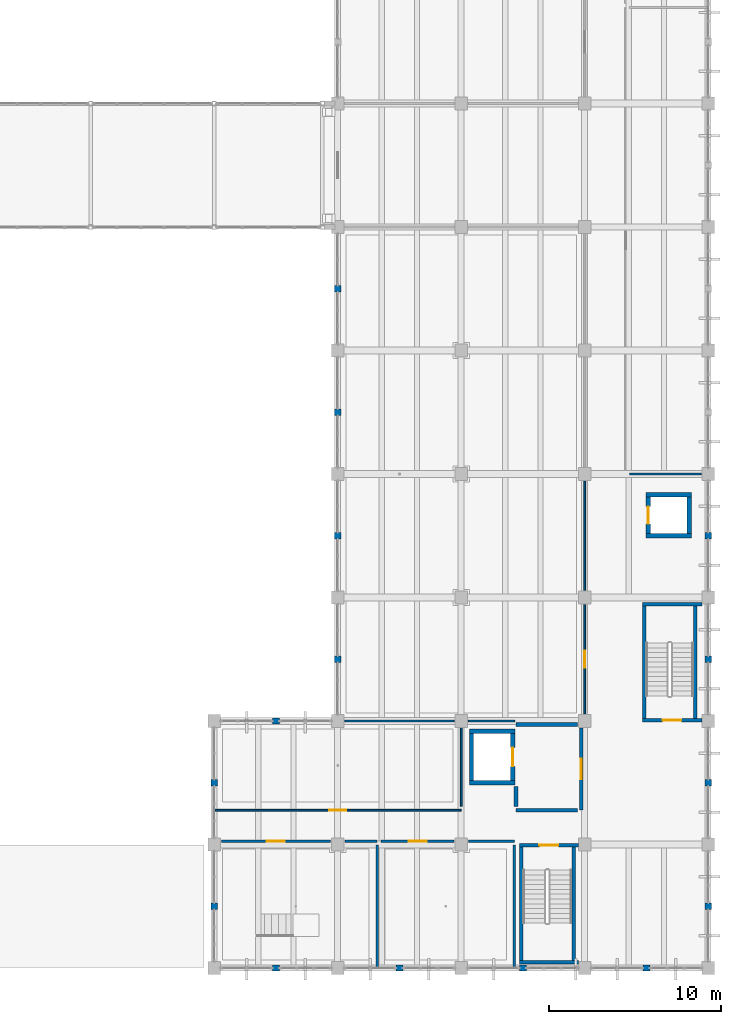
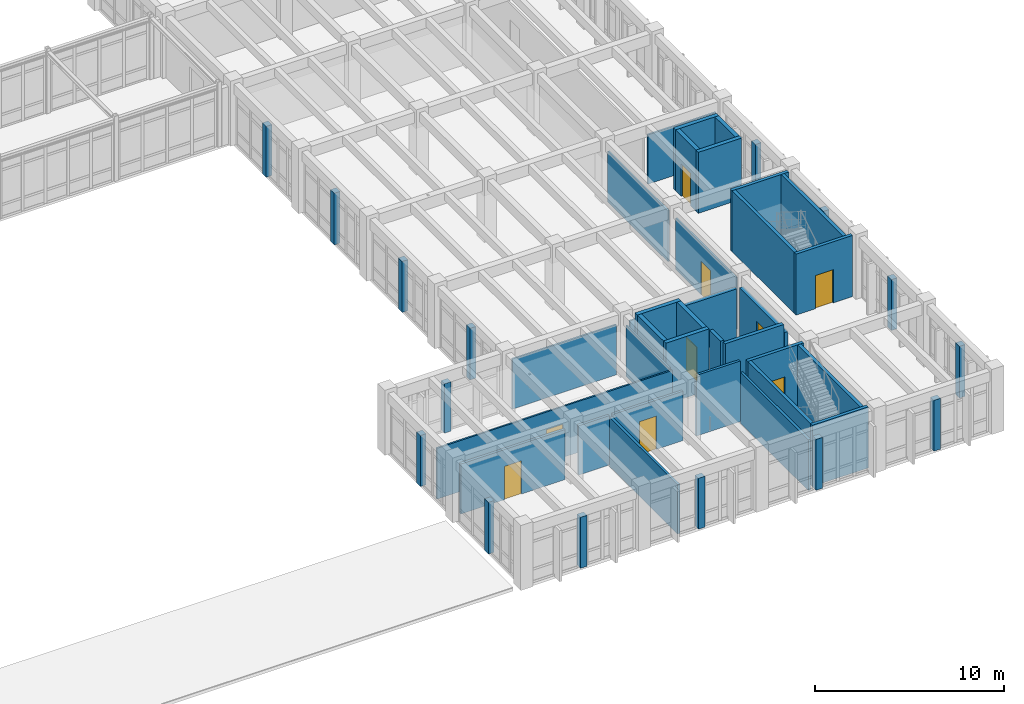
# One storey, part 117 of 136: 48 walls, 9 doors, 9 openings.
"""IFC4 building model written with IfcOpenShell, lengths in metres."""

from ifc_helpers import new_model, si_unit, direction, frame, frame_2d, origin, place, context, subcontext, project, spatial, rectangle, extrude, material, layer, layer_set, type_object, element, fill, save


model = new_model("IFC4")

# Units and contexts
model_context = context("Model", 3, precision=1e-05, world=origin(), true_north=direction((0.0, 1.0)))
body_context = subcontext(model_context, "Body", "Model", "MODEL_VIEW")
ifc_project = project(units=[si_unit("LENGTHUNIT", "METRE"), si_unit("AREAUNIT", "SQUARE_METRE"), si_unit("VOLUMEUNIT", "CUBIC_METRE"), si_unit("PLANEANGLEUNIT", "RADIAN"), si_unit("MASSUNIT", "GRAM", prefix="KILO")], contexts=[model_context])

# Site, building, storey
site_placement = place(None, origin())
site = spatial("IfcSite", under=ifc_project, at=site_placement, CompositionType="ELEMENT")
building_placement = place(site_placement, origin())
building = spatial("IfcBuilding", under=site, at=building_placement, Name="Koriwan Promenade Central Fire Station", CompositionType="ELEMENT")
storey_placement = place(building_placement, frame((0.0, 0.0, 5.39990234375)))
storey = spatial("IfcBuildingStorey", under=building, at=storey_placement, Name="L01", CompositionType="ELEMENT", Elevation=5.39990234375)

# Walls
ifc_material_1 = material(Name="Natural sillar sandstone ashlar", Category="masonry")
ifc_layer_1 = layer(ifc_material_1, 0.360107421875, Name="Natural sillar sandstone ashlar")
ifc_layer_set_1 = layer_set([ifc_layer_1], Name="Natural sillar sandstone ashlar")
wall_type_1 = type_object("IfcWallType", Name="ExtWall_SillarBase_360", PredefinedType="SOLIDWALL", material=ifc_layer_set_1)
for number, where, z_axis, x_axis, name in (
    (1, (169.39990234375, 0.0, 0.0), (0.0, 0.0, 1.0), (-1.0, 0.0, 0.0), "V5 L01 sillar facade mullion pier 235"),
    (2, (162.199951171875, 0.0, 0.0), (0.0, 0.0, 1.0), (-1.0, 0.0, 0.0), "V5 L01 sillar facade mullion pier 236"),
    (3, (155.0, 0.0, 0.0), (0.0, 0.0, 1.0), (-1.0, 0.0, 0.0), "V5 L01 sillar facade mullion pier 237"),
):
    element("IfcWall", number, at=place(storey_placement, frame(where, z_axis=z_axis, x_axis=x_axis)), inside=storey, type_object=wall_type_1, Name=name, PredefinedType="SOLIDWALL", context=body_context, shape_type="SweptSolid", body=[
        extrude(rectangle(XDim=0.39990234375, YDim=0.360107421875, at=frame_2d((0.199951171875, 0.0))), origin(), (0.0, 0.0, 1.0), 3.2900390625),
    ])
wall_1_placement = place(storey_placement, frame((147.800048828125, 0.0, 0.0), z_axis=(0.0, 0.0, 1.0), x_axis=(-1.0, 0.0, 0.0)))
element("IfcWall", 4, at=wall_1_placement, inside=storey, type_object=wall_type_1, Name="V5 L01 sillar facade mullion pier 238", PredefinedType="SOLIDWALL", context=body_context, shape_type="SweptSolid", body=[
    extrude(rectangle(XDim=0.400146484375, YDim=0.360107421875, at=frame_2d((0.2001953125, 0.0))), origin(), (0.0, 0.0, 1.0), 3.2900390625),
])
wall_2_placement = place(storey_placement, frame((144.0, 3.39990234375, 0.0), z_axis=(0.0, 0.0, 1.0), x_axis=(0.0, 1.0, 0.0)))
element("IfcWall", 5, at=wall_2_placement, inside=storey, type_object=wall_type_1, Name="V5 L01 sillar facade mullion pier 239", PredefinedType="SOLIDWALL", context=body_context, shape_type="SweptSolid", body=[
    extrude(rectangle(XDim=0.400146484375, YDim=0.360107421875, at=frame_2d((0.2001953125, 0.0))), origin(), (0.0, 0.0, 1.0), 3.340087890625),
])
wall_3_placement = place(storey_placement, frame((144.0, 10.60009765625, 0.0), z_axis=(0.0, 0.0, 1.0), x_axis=(0.0, 1.0, 0.0)))
element("IfcWall", 6, at=wall_3_placement, inside=storey, type_object=wall_type_1, Name="V5 L01 sillar facade mullion pier 240", PredefinedType="SOLIDWALL", context=body_context, shape_type="SweptSolid", body=[
    extrude(rectangle(XDim=0.39990234375, YDim=0.360107421875, at=frame_2d((0.199951171875, 0.0))), origin(), (0.0, 0.0, 1.0), 3.2900390625),
])
wall_4_placement = place(storey_placement, frame((147.39990234375, 14.39990234375, 0.0), z_axis=(0.0, 0.0, 1.0), x_axis=(1.0, 0.0, 0.0)))
element("IfcWall", 7, at=wall_4_placement, inside=storey, type_object=wall_type_1, Name="V5 L01 sillar facade mullion pier 241", PredefinedType="SOLIDWALL", context=body_context, shape_type="SweptSolid", body=[
    extrude(rectangle(XDim=0.400146484375, YDim=0.360107421875, at=frame_2d((0.2001953125, 0.0))), origin(), (0.0, 0.0, 1.0), 3.190185546875),
])
wall_5_placement = place(storey_placement, frame((151.199951171875, 17.800048828125, 0.0), z_axis=(0.0, 0.0, 1.0), x_axis=(0.0, 1.0, 0.0)))
element("IfcWall", 8, at=wall_5_placement, inside=storey, type_object=wall_type_1, Name="V5 L01 sillar facade mullion pier 242", PredefinedType="SOLIDWALL", context=body_context, shape_type="SweptSolid", body=[
    extrude(rectangle(XDim=0.39990234375, YDim=0.360107421875, at=frame_2d((0.199951171875, 0.0))), origin(), (0.0, 0.0, 1.0), 3.340087890625),
])
wall_6_placement = place(storey_placement, frame((151.199951171875, 25.0, 0.0), z_axis=(0.0, 0.0, 1.0), x_axis=(0.0, 1.0, 0.0)))
element("IfcWall", 9, at=wall_6_placement, inside=storey, type_object=wall_type_1, Name="V5 L01 sillar facade mullion pier 243", PredefinedType="SOLIDWALL", context=body_context, shape_type="SweptSolid", body=[
    extrude(rectangle(XDim=0.39990234375, YDim=0.360107421875, at=frame_2d((0.199951171875, 0.0))), origin(), (0.0, 0.0, 1.0), 3.2900390625),
])
wall_7_placement = place(storey_placement, frame((151.199951171875, 32.199951171875, 0.0), z_axis=(0.0, 0.0, 1.0), x_axis=(0.0, 1.0, 0.0)))
element("IfcWall", 10, at=wall_7_placement, inside=storey, type_object=wall_type_1, Name="V5 L01 sillar facade mullion pier 244", PredefinedType="SOLIDWALL", context=body_context, shape_type="SweptSolid", body=[
    extrude(rectangle(XDim=0.400146484375, YDim=0.360107421875, at=frame_2d((0.2001953125, 0.0))), origin(), (0.0, 0.0, 1.0), 3.340087890625),
])
wall_8_placement = place(storey_placement, frame((151.199951171875, 39.39990234375, 0.0), z_axis=(0.0, 0.0, 1.0), x_axis=(0.0, 1.0, 0.0)))
element("IfcWall", 11, at=wall_8_placement, inside=storey, type_object=wall_type_1, Name="V5 L01 sillar facade mullion pier 245", PredefinedType="SOLIDWALL", context=body_context, shape_type="SweptSolid", body=[
    extrude(rectangle(XDim=0.400146484375, YDim=0.360107421875, at=frame_2d((0.2001953125, 0.0))), origin(), (0.0, 0.0, 1.0), 3.2900390625),
])
wall_9_placement = place(storey_placement, frame((172.800048828125, 25.39990234375, 0.0), z_axis=(0.0, 0.0, 1.0), x_axis=(0.0, -1.0, 0.0)))
element("IfcWall", 12, at=wall_9_placement, inside=storey, type_object=wall_type_1, Name="V5 L01 sillar facade mullion pier 259", PredefinedType="SOLIDWALL", context=body_context, shape_type="SweptSolid", body=[
    extrude(rectangle(XDim=0.39990234375, YDim=0.360107421875, at=frame_2d((0.199951171875, 0.0))), origin(), (0.0, 0.0, 1.0), 3.2900390625),
])
wall_10_placement = place(storey_placement, frame((172.800048828125, 18.199951171875, 0.0), z_axis=(0.0, 0.0, 1.0), x_axis=(0.0, -1.0, 0.0)))
element("IfcWall", 13, at=wall_10_placement, inside=storey, type_object=wall_type_1, Name="V5 L01 sillar facade mullion pier 260", PredefinedType="SOLIDWALL", context=body_context, shape_type="SweptSolid", body=[
    extrude(rectangle(XDim=0.39990234375, YDim=0.360107421875, at=frame_2d((0.199951171875, 0.0))), origin(), (0.0, 0.0, 1.0), 3.340087890625),
])
wall_11_placement = place(storey_placement, frame((172.800048828125, 11.0, 0.0), z_axis=(0.0, 0.0, 1.0), x_axis=(0.0, -1.0, 0.0)))
element("IfcWall", 14, at=wall_11_placement, inside=storey, type_object=wall_type_1, Name="V5 L01 sillar facade mullion pier 261", PredefinedType="SOLIDWALL", context=body_context, shape_type="SweptSolid", body=[
    extrude(rectangle(XDim=0.39990234375, YDim=0.360107421875, at=frame_2d((0.199951171875, 0.0))), origin(), (0.0, 0.0, 1.0), 3.2900390625),
])
wall_12_placement = place(storey_placement, frame((172.800048828125, 3.800048828125, 0.0), z_axis=(0.0, 0.0, 1.0), x_axis=(0.0, -1.0, 0.0)))
element("IfcWall", 15, at=wall_12_placement, inside=storey, type_object=wall_type_1, Name="V5 L01 sillar facade mullion pier 262", PredefinedType="SOLIDWALL", context=body_context, shape_type="SweptSolid", body=[
    extrude(rectangle(XDim=0.400146484375, YDim=0.360107421875, at=frame_2d((0.2001953125, 0.0))), origin(), (0.0, 0.0, 1.0), 3.340087890625),
])

# Wall, opening, door
ifc_material_2 = material(Name="Gypsum board acoustic stud partition", Category="gypsum")
ifc_layer_2 = layer(ifc_material_2, 0.10009765625, Name="Gypsum board acoustic stud partition")
ifc_layer_set_2 = layer_set([ifc_layer_2], Name="Gypsum board acoustic stud partition")
wall_type_2 = type_object("IfcWallType", Name="IntWall_Drywall_100", PredefinedType="PARTITIONING", material=ifc_layer_set_2)
wall_13_placement = place(storey_placement, frame((144.0, 9.199951171875, 0.0), z_axis=(0.0, 0.0, 1.0), x_axis=(1.0, 0.0, 0.0)))
wall_13 = element("IfcWall", 16, at=wall_13_placement, inside=storey, type_object=wall_type_2, Name="Plan Review and Building Code Office partition S", PredefinedType="PARTITIONING", context=body_context, shape_type="SweptSolid", body=[
    extrude(rectangle(XDim=14.39990234375, YDim=0.10009765625, at=frame_2d((7.199951171875, 0.0))), origin(), (0.0, 0.0, 1.0), 3.2880859375),
])
opening_1_placement = place(wall_13_placement, frame((6.699951171875, 0.0, 0.0)))
opening_1 = element("IfcOpeningElement", 17, at=opening_1_placement, cuts=wall_13, Name="Opening D-160", PredefinedType="OPENING", context=body_context, shape_type="SweptSolid", body=[
    extrude(rectangle(XDim=1.0, YDim=2.14990234375, at=frame_2d((0.5, 1.074951171875))), frame((0.0, 0.06201171875, 0.0), z_axis=(0.0, -1.0, 0.0), x_axis=(1.0, 0.0, 0.0)), (0.0, 0.0, 1.0), 0.1240234375),
])
ifc_material_3 = material(Name="Hardwood veneer solid-core timber", Category="wood")
door_type_1 = type_object("IfcDoorType", Name="RoomDoor_Office_1000x2150", OperationType="NOTDEFINED", PredefinedType="DOOR", material=ifc_material_3)
door_1_placement = place(opening_1_placement, origin())
door_1 = element("IfcDoor", 18, at=door_1_placement, inside=storey, type_object=door_type_1, Name="Plan Review and Building Code Office Door D-160", OperationType="SINGLE_SWING_RIGHT", OverallHeight=2.14990234375, OverallWidth=1.0, PredefinedType="DOOR", context=body_context, shape_type="SweptSolid", body=[
    extrude(rectangle(XDim=1.0, YDim=2.14990234375, at=frame_2d((0.5, 1.074951171875))), frame((0.0, 0.02490234375, 0.0), z_axis=(0.0, -1.0, 0.0), x_axis=(1.0, 0.0, 0.0)), (0.0, 0.0, 1.0), 0.050048828125),
])
fill(opening_1, door_1)

# Wall
wall_14_placement = place(storey_placement, frame((158.39990234375, 9.419921875, 0.0), z_axis=(0.0, 0.0, 1.0), x_axis=(0.0, 1.0, 0.0)))
element("IfcWall", 19, at=wall_14_placement, inside=storey, type_object=wall_type_2, Name="Plan Review and Building Code Office partition E", PredefinedType="PARTITIONING", context=body_context, shape_type="SweptSolid", body=[
    extrude(rectangle(XDim=4.565185546875, YDim=0.10009765625, at=frame_2d((2.28271484375, 0.0))), origin(), (0.0, 0.0, 1.0), 3.2880859375),
])

# Wall, opening, door
wall_15_placement = place(storey_placement, frame((165.60009765625, 14.81494140625, 0.0), z_axis=(0.0, 0.0, 1.0), x_axis=(0.0, 1.0, 0.0)))
wall_15 = element("IfcWall", 20, at=wall_15_placement, inside=storey, type_object=wall_type_2, Name="Metropolitan Brigade Operations Office partition E", PredefinedType="PARTITIONING", context=body_context, shape_type="SweptSolid", body=[
    extrude(rectangle(XDim=6.3701171875, YDim=0.10009765625, at=frame_2d((3.18505859375, 0.0))), origin(), (0.0, 0.0, 1.0), 3.338134765625),
])
opening_2_placement = place(wall_15_placement, frame((2.68505859375, 0.0, 0.0)))
opening_2 = element("IfcOpeningElement", 21, at=opening_2_placement, cuts=wall_15, Name="Opening D-161", PredefinedType="OPENING", context=body_context, shape_type="SweptSolid", body=[
    extrude(rectangle(XDim=1.0, YDim=2.14990234375, at=frame_2d((0.5, 1.074951171875))), frame((0.0, 0.06201171875, 0.0), z_axis=(0.0, -1.0, 0.0), x_axis=(1.0, 0.0, 0.0)), (0.0, 0.0, 1.0), 0.1240234375),
])
door_2_placement = place(opening_2_placement, origin())
door_2 = element("IfcDoor", 22, at=door_2_placement, inside=storey, type_object=door_type_1, Name="Metropolitan Brigade Operations Office Door D-161", OperationType="SINGLE_SWING_LEFT", OverallHeight=2.14990234375, OverallWidth=1.0, PredefinedType="DOOR", context=body_context, shape_type="SweptSolid", body=[
    extrude(rectangle(XDim=1.0, YDim=2.14990234375, at=frame_2d((0.5, 1.074951171875))), frame((0.0, 0.02490234375, 0.0), z_axis=(0.0, -1.0, 0.0), x_axis=(1.0, 0.0, 0.0)), (0.0, 0.0, 1.0), 0.050048828125),
])
fill(opening_2, door_2)

# Walls
wall_16_placement = place(storey_placement, frame((165.60009765625, 22.014892578125, 0.0), z_axis=(0.0, 0.0, 1.0), x_axis=(0.0, 1.0, 0.0)))
element("IfcWall", 23, at=wall_16_placement, inside=storey, type_object=wall_type_2, Name="Metropolitan Brigade Operations Office partition E", PredefinedType="PARTITIONING", context=body_context, shape_type="SweptSolid", body=[
    extrude(rectangle(XDim=6.3701171875, YDim=0.10009765625, at=frame_2d((3.18505859375, 0.0))), origin(), (0.0, 0.0, 1.0), 3.2880859375),
])
wall_17_placement = place(storey_placement, frame((151.614990234375, 14.39990234375, 0.0), z_axis=(0.0, 0.0, 1.0), x_axis=(1.0, 0.0, 0.0)))
element("IfcWall", 24, at=wall_17_placement, inside=storey, type_object=wall_type_2, Name="Metropolitan Brigade Operations Office partition S", PredefinedType="PARTITIONING", context=body_context, shape_type="SweptSolid", body=[
    extrude(rectangle(XDim=6.3701171875, YDim=0.10009765625, at=frame_2d((3.18505859375, 0.0))), origin(), (0.0, 0.0, 1.0), 3.238037109375),
])
wall_18_placement = place(storey_placement, frame((158.81494140625, 14.39990234375, 0.0), z_axis=(0.0, 0.0, 1.0), x_axis=(1.0, 0.0, 0.0)))
element("IfcWall", 25, at=wall_18_placement, inside=storey, type_object=wall_type_2, Name="Metropolitan Brigade Operations Office partition S", PredefinedType="PARTITIONING", context=body_context, shape_type="SweptSolid", body=[
    extrude(rectangle(XDim=2.69384765625, YDim=0.10009765625, at=frame_2d((1.346923828125, 0.0))), origin(), (0.0, 0.0, 1.0), 3.18798828125),
])
wall_19_placement = place(storey_placement, frame((168.219970703125, 28.800048828125, 0.0), z_axis=(0.0, 0.0, 1.0), x_axis=(1.0, 0.0, 0.0)))
element("IfcWall", 26, at=wall_19_placement, inside=storey, type_object=wall_type_2, Name="Headquarters Staff Pantry and Break Lounge partition S", PredefinedType="PARTITIONING", context=body_context, shape_type="SweptSolid", body=[
    extrude(rectangle(XDim=4.1650390625, YDim=0.10009765625, at=frame_2d((2.08251953125, 0.0))), origin(), (0.0, 0.0, 1.0), 3.18798828125),
])

# Wall, opening, door
ifc_material_4 = material(Name="Clay brick plastered masonry wall", Category="masonry")
ifc_layer_3 = layer(ifc_material_4, 0.14990234375, Name="Clay brick plastered masonry wall")
ifc_layer_set_3 = layer_set([ifc_layer_3], Name="Clay brick plastered masonry wall")
wall_type_3 = type_object("IfcWallType", Name="IntWall_Masonry_150", PredefinedType="STANDARD", material=ifc_layer_set_3)
wall_20_placement = place(storey_placement, frame((144.4150390625, 7.39990234375, 0.0), z_axis=(0.0, 0.0, 1.0), x_axis=(1.0, 0.0, 0.0)))
wall_20 = element("IfcWall", 27, at=wall_20_placement, inside=storey, type_object=wall_type_3, Name="Fire Engineering Training Classroom 1 partition N", PredefinedType="STANDARD", context=body_context, shape_type="SweptSolid", body=[
    extrude(rectangle(XDim=6.369873046875, YDim=0.14990234375, at=frame_2d((3.18505859375, 0.0))), origin(), (0.0, 0.0, 1.0), 3.238037109375),
])
opening_3_placement = place(wall_20_placement, frame((2.659912109375, 0.0, 0.0)))
opening_3 = element("IfcOpeningElement", 28, at=opening_3_placement, cuts=wall_20, Name="Opening D-158", PredefinedType="OPENING", context=body_context, shape_type="SweptSolid", body=[
    extrude(rectangle(XDim=1.050048828125, YDim=2.14990234375, at=frame_2d((0.52490234375, 1.074951171875))), frame((0.0, 0.0869140625, 0.0), z_axis=(0.0, -1.0, 0.0), x_axis=(1.0, 0.0, 0.0)), (0.0, 0.0, 1.0), 0.173828125),
])
door_type_2 = type_object("IfcDoorType", Name="RoomDoor_Class_1050x2150", OperationType="NOTDEFINED", PredefinedType="DOOR", material=ifc_material_3)
door_3_placement = place(opening_3_placement, origin())
door_3 = element("IfcDoor", 29, at=door_3_placement, inside=storey, type_object=door_type_2, Name="Fire Engineering Training Classroom 1 Door D-158", OperationType="SINGLE_SWING_RIGHT", OverallHeight=2.14990234375, OverallWidth=1.050048828125, PredefinedType="DOOR", context=body_context, shape_type="SweptSolid", body=[
    extrude(rectangle(XDim=1.050048828125, YDim=2.14990234375, at=frame_2d((0.52490234375, 1.074951171875))), frame((0.0, 0.02490234375, 0.0), z_axis=(0.0, -1.0, 0.0), x_axis=(1.0, 0.0, 0.0)), (0.0, 0.0, 1.0), 0.050048828125),
])
fill(opening_3, door_3)

# Walls
wall_21_placement = place(storey_placement, frame((151.614990234375, 7.39990234375, 0.0), z_axis=(0.0, 0.0, 1.0), x_axis=(1.0, 0.0, 0.0)))
element("IfcWall", 30, at=wall_21_placement, inside=storey, type_object=wall_type_3, Name="Fire Engineering Training Classroom 1 partition N", PredefinedType="STANDARD", context=body_context, shape_type="SweptSolid", body=[
    extrude(rectangle(XDim=1.885009765625, YDim=0.14990234375, at=frame_2d((0.9423828125, 0.0))), origin(), (0.0, 0.0, 1.0), 3.18798828125),
])
wall_22_placement = place(storey_placement, frame((153.5, 0.0, 0.0), z_axis=(0.0, 0.0, 1.0), x_axis=(0.0, 1.0, 0.0)))
element("IfcWall", 31, at=wall_22_placement, inside=storey, type_object=wall_type_3, Name="Fire Engineering Training Classroom 1 partition E", PredefinedType="STANDARD", context=body_context, shape_type="SweptSolid", body=[
    extrude(rectangle(XDim=7.179931640625, YDim=0.14990234375, at=frame_2d((3.58984375, 0.0))), origin(), (0.0, 0.0, 1.0), 3.18798828125),
])

# Wall, opening, door
wall_23_placement = place(storey_placement, frame((153.719970703125, 7.39990234375, 0.0), z_axis=(0.0, 0.0, 1.0), x_axis=(1.0, 0.0, 0.0)))
wall_23 = element("IfcWall", 32, at=wall_23_placement, inside=storey, type_object=wall_type_3, Name="Incident Command Seminar Classroom 2 partition N", PredefinedType="STANDARD", context=body_context, shape_type="SweptSolid", body=[
    extrude(rectangle(XDim=4.26513671875, YDim=0.14990234375, at=frame_2d((2.132568359375, 0.0))), origin(), (0.0, 0.0, 1.0), 3.18798828125),
])
opening_4_placement = place(wall_23_placement, frame((1.607421875, 0.0, 0.0)))
opening_4 = element("IfcOpeningElement", 33, at=opening_4_placement, cuts=wall_23, Name="Opening D-159", PredefinedType="OPENING", context=body_context, shape_type="SweptSolid", body=[
    extrude(rectangle(XDim=1.050048828125, YDim=2.14990234375, at=frame_2d((0.52490234375, 1.074951171875))), frame((0.0, 0.0869140625, 0.0), z_axis=(0.0, -1.0, 0.0), x_axis=(1.0, 0.0, 0.0)), (0.0, 0.0, 1.0), 0.173828125),
])
door_4_placement = place(opening_4_placement, origin())
door_4 = element("IfcDoor", 34, at=door_4_placement, inside=storey, type_object=door_type_2, Name="Incident Command Seminar Classroom 2 Door D-159", OperationType="SINGLE_SWING_LEFT", OverallHeight=2.14990234375, OverallWidth=1.050048828125, PredefinedType="DOOR", context=body_context, shape_type="SweptSolid", body=[
    extrude(rectangle(XDim=1.050048828125, YDim=2.14990234375, at=frame_2d((0.52490234375, 1.074951171875))), frame((0.0, 0.02490234375, 0.0), z_axis=(0.0, -1.0, 0.0), x_axis=(1.0, 0.0, 0.0)), (0.0, 0.0, 1.0), 0.050048828125),
])
fill(opening_4, door_4)

# Walls
wall_24_placement = place(storey_placement, frame((158.81494140625, 7.39990234375, 0.0), z_axis=(0.0, 0.0, 1.0), x_axis=(1.0, 0.0, 0.0)))
element("IfcWall", 35, at=wall_24_placement, inside=storey, type_object=wall_type_3, Name="Incident Command Seminar Classroom 2 partition N", PredefinedType="STANDARD", context=body_context, shape_type="SweptSolid", body=[
    extrude(rectangle(XDim=2.68505859375, YDim=0.14990234375, at=frame_2d((1.342529296875, 0.0))), origin(), (0.0, 0.0, 1.0), 3.920166015625),
])
wall_25_placement = place(storey_placement, frame((161.5, 0.0, 0.0), z_axis=(0.0, 0.0, 1.0), x_axis=(0.0, 1.0, 0.0)))
element("IfcWall", 36, at=wall_25_placement, inside=storey, type_object=wall_type_3, Name="Incident Command Seminar Classroom 2 partition E", PredefinedType="STANDARD", context=body_context, shape_type="SweptSolid", body=[
    extrude(rectangle(XDim=7.179931640625, YDim=0.14990234375, at=frame_2d((3.58984375, 0.0))), origin(), (0.0, 0.0, 1.0), 3.2880859375),
])

# Wall, opening, door
ifc_material_5 = material(Name="Concrete C35/45 compartment wall", Category="concrete")
ifc_layer_4 = layer(ifc_material_5, 0.219970703125, Name="Concrete C35/45 compartment wall")
ifc_layer_set_4 = layer_set([ifc_layer_4], Name="Concrete C35/45 compartment wall")
wall_type_4 = type_object("IfcWallType", Name="IntWall_Plant_220", PredefinedType="STANDARD", material=ifc_layer_set_4)
wall_26_placement = place(storey_placement, frame((165.39990234375, 9.199951171875, 0.0), z_axis=(0.0, 0.0, 1.0), x_axis=(0.0, 1.0, 0.0)))
wall_26 = element("IfcWall", 37, at=wall_26_placement, inside=storey, type_object=wall_type_4, Name="Headquarters Firefighting Lift Lobby L01 partition E", PredefinedType="STANDARD", context=body_context, shape_type="SweptSolid", body=[
    extrude(rectangle(XDim=4.78515625, YDim=0.219970703125, at=frame_2d((2.392578125, 0.0))), origin(), (0.0, 0.0, 1.0), 3.2880859375),
])
opening_5_placement = place(wall_26_placement, frame((1.79248046875, 0.0, 0.0)))
opening_5 = element("IfcOpeningElement", 38, at=opening_5_placement, cuts=wall_26, Name="Opening D-157", PredefinedType="OPENING", context=body_context, shape_type="SweptSolid", body=[
    extrude(rectangle(XDim=1.199951171875, YDim=2.199951171875, at=frame_2d((0.60009765625, 1.10009765625))), frame((0.0, 0.1220703125, 0.0), z_axis=(0.0, -1.0, 0.0), x_axis=(1.0, 0.0, 0.0)), (0.0, 0.0, 1.0), 0.243896484375),
])
ifc_material_6 = material(Name="Painted galvanized fire-door steel", Category="steel")
door_type_3 = type_object("IfcDoorType", Name="FireDoor_Lobby_1200x2200", OperationType="NOTDEFINED", PredefinedType="DOOR", material=ifc_material_6)
door_5_placement = place(opening_5_placement, origin())
door_5 = element("IfcDoor", 39, at=door_5_placement, inside=storey, type_object=door_type_3, Name="Headquarters Firefighting Lift Lobby L01 Door D-157", OperationType="SINGLE_SWING_LEFT", OverallHeight=2.199951171875, OverallWidth=1.199951171875, PredefinedType="DOOR", context=body_context, shape_type="SweptSolid", body=[
    extrude(rectangle(XDim=1.199951171875, YDim=2.199951171875, at=frame_2d((0.60009765625, 1.10009765625))), frame((0.0, 0.02490234375, 0.0), z_axis=(0.0, -1.0, 0.0), x_axis=(1.0, 0.0, 0.0)), (0.0, 0.0, 1.0), 0.050048828125),
])
fill(opening_5, door_5)

# Walls
wall_27_placement = place(storey_placement, frame((161.60009765625, 9.199951171875, 0.0), z_axis=(0.0, 0.0, 1.0), x_axis=(1.0, 0.0, 0.0)))
element("IfcWall", 40, at=wall_27_placement, inside=storey, type_object=wall_type_4, Name="Headquarters Firefighting Lift Lobby L01 partition S", PredefinedType="STANDARD", context=body_context, shape_type="SweptSolid", body=[
    extrude(rectangle(XDim=3.579833984375, YDim=0.219970703125, at=frame_2d((1.7900390625, 0.0))), origin(), (0.0, 0.0, 1.0), 3.920166015625),
])
wall_28_placement = place(storey_placement, frame((161.60009765625, 14.199951171875, 0.0), z_axis=(0.0, 0.0, 1.0), x_axis=(1.0, 0.0, 0.0)))
element("IfcWall", 41, at=wall_28_placement, inside=storey, type_object=wall_type_4, Name="Headquarters Firefighting Lift Lobby L01 partition N", PredefinedType="STANDARD", context=body_context, shape_type="SweptSolid", body=[
    extrude(rectangle(XDim=3.5849609375, YDim=0.219970703125, at=frame_2d((1.79248046875, 0.0))), origin(), (0.0, 0.0, 1.0), 3.18798828125),
])
wall_29_placement = place(storey_placement, frame((161.60009765625, 9.419921875, 0.0), z_axis=(0.0, 0.0, 1.0), x_axis=(0.0, 1.0, 0.0)))
element("IfcWall", 42, at=wall_29_placement, inside=storey, type_object=wall_type_4, Name="Headquarters Firefighting Lift Lobby L01 partition W", PredefinedType="STANDARD", context=body_context, shape_type="SweptSolid", body=[
    extrude(rectangle(XDim=1.173583984375, YDim=0.219970703125, at=frame_2d((0.5869140625, 0.0))), origin(), (0.0, 0.0, 1.0), 3.920166015625),
])
ifc_material_7 = material(Name="Concrete C40/50", Category="concrete")
ifc_layer_5 = layer(ifc_material_7, 0.199951171875, Name="Concrete C40/50")
ifc_layer_set_5 = layer_set([ifc_layer_5], Name="Concrete C40/50")
wall_type_5 = type_object("IfcWallType", Name="ShearWall_200", PredefinedType="SHEAR", material=ifc_layer_set_5)
wall_30_placement = place(storey_placement, frame((161.800048828125, 0.330078125, 0.0), z_axis=(0.0, 0.0, 1.0), x_axis=(1.0, 0.0, 0.0)))
element("IfcWall", 43, at=wall_30_placement, inside=storey, type_object=wall_type_5, Name="ST22 L01 structural stair wall S", PredefinedType="SHEAR", context=body_context, shape_type="SweptSolid", body=[
    extrude(rectangle(XDim=3.425048828125, YDim=0.199951171875, at=frame_2d((1.71240234375, 0.0))), origin(), (0.0, 0.0, 1.0), 3.9501953125),
])

# Wall, opening, door
wall_31_placement = place(storey_placement, frame((161.800048828125, 7.14990234375, 0.0), z_axis=(0.0, 0.0, 1.0), x_axis=(1.0, 0.0, 0.0)))
wall_31 = element("IfcWall", 44, at=wall_31_placement, inside=storey, type_object=wall_type_5, Name="ST22 L01 structural stair wall N", PredefinedType="SHEAR", context=body_context, shape_type="SweptSolid", body=[
    extrude(rectangle(XDim=3.425048828125, YDim=0.199951171875, at=frame_2d((1.71240234375, 0.0))), origin(), (0.0, 0.0, 1.0), 3.9501953125),
])
opening_6_placement = place(wall_31_placement, frame((1.16259765625, 0.0, 0.0)))
opening_6 = element("IfcOpeningElement", 45, at=opening_6_placement, cuts=wall_31, Name="Opening SD-033", PredefinedType="OPENING", context=body_context, shape_type="SweptSolid", body=[
    extrude(rectangle(XDim=1.10009765625, YDim=2.14990234375, at=frame_2d((0.550048828125, 1.074951171875))), frame((0.0, 0.11181640625, 0.0), z_axis=(0.0, -1.0, 0.0), x_axis=(1.0, 0.0, 0.0)), (0.0, 0.0, 1.0), 0.223876953125),
])
door_type_4 = type_object("IfcDoorType", Name="FireDoor_Stair_1100x2150", OperationType="NOTDEFINED", PredefinedType="DOOR", material=ifc_material_6)
door_6_placement = place(opening_6_placement, frame((1.10009765625, 0.0, 0.0), z_axis=(0.0, 0.0, 1.0), x_axis=(-1.0, 0.0, 0.0)))
door_6 = element("IfcDoor", 46, at=door_6_placement, inside=storey, type_object=door_type_4, Name="Protected Stair ST22 Fire Door SD-033", OperationType="SINGLE_SWING_RIGHT", OverallHeight=2.14990234375, OverallWidth=1.10009765625, PredefinedType="DOOR", context=body_context, shape_type="SweptSolid", body=[
    extrude(rectangle(XDim=1.10009765625, YDim=2.14990234375, at=frame_2d((0.550048828125, 1.074951171875))), frame((0.0, 0.02490234375, 0.0), z_axis=(0.0, -1.0, 0.0), x_axis=(1.0, 0.0, 0.0)), (0.0, 0.0, 1.0), 0.050048828125),
])
fill(opening_6, door_6)

# Walls
for number, where, z_axis, x_axis, name in (
    (47, (161.89990234375, 0.429931640625, 0.0), (0.0, 0.0, 1.0), (0.0, 1.0, 0.0), "ST22 L01 structural stair wall W"),
    (48, (164.949951171875, 0.429931640625, 0.0), (0.0, 0.0, 1.0), (0.0, 1.0, 0.0), "ST22 L01 structural stair wall E"),
):
    element("IfcWall", number, at=place(storey_placement, frame(where, z_axis=z_axis, x_axis=x_axis)), inside=storey, type_object=wall_type_5, Name=name, PredefinedType="SHEAR", context=body_context, shape_type="SweptSolid", body=[
        extrude(rectangle(XDim=6.6201171875, YDim=0.199951171875, at=frame_2d((3.31005859375, 0.0))), origin(), (0.0, 0.0, 1.0), 3.9501953125),
    ])

# Wall, opening, door
wall_32_placement = place(storey_placement, frame((168.9599609375, 14.449951171875, 0.0), z_axis=(0.0, 0.0, 1.0), x_axis=(1.0, 0.0, 0.0)))
wall_32 = element("IfcWall", 49, at=wall_32_placement, inside=storey, type_object=wall_type_5, Name="ST27 L01 structural stair wall S", PredefinedType="SHEAR", context=body_context, shape_type="SweptSolid", body=[
    extrude(rectangle(XDim=3.465087890625, YDim=0.199951171875, at=frame_2d((1.732421875, 0.0))), origin(), (0.0, 0.0, 1.0), 3.9501953125),
])
opening_7_placement = place(wall_32_placement, frame((1.1826171875, 0.0, 0.0)))
opening_7 = element("IfcOpeningElement", 50, at=opening_7_placement, cuts=wall_32, Name="Opening SD-039", PredefinedType="OPENING", context=body_context, shape_type="SweptSolid", body=[
    extrude(rectangle(XDim=1.10009765625, YDim=2.14990234375, at=frame_2d((0.550048828125, 1.074951171875))), frame((0.0, 0.11181640625, 0.0), z_axis=(0.0, -1.0, 0.0), x_axis=(1.0, 0.0, 0.0)), (0.0, 0.0, 1.0), 0.223876953125),
])
door_7_placement = place(opening_7_placement, origin())
door_7 = element("IfcDoor", 51, at=door_7_placement, inside=storey, type_object=door_type_4, Name="Protected Stair ST27 Fire Door SD-039", OperationType="SINGLE_SWING_RIGHT", OverallHeight=2.14990234375, OverallWidth=1.10009765625, PredefinedType="DOOR", context=body_context, shape_type="SweptSolid", body=[
    extrude(rectangle(XDim=1.10009765625, YDim=2.14990234375, at=frame_2d((0.550048828125, 1.074951171875))), frame((0.0, 0.02490234375, 0.0), z_axis=(0.0, -1.0, 0.0), x_axis=(1.0, 0.0, 0.0)), (0.0, 0.0, 1.0), 0.050048828125),
])
fill(opening_7, door_7)

# Walls
wall_33_placement = place(storey_placement, frame((168.9599609375, 21.2099609375, 0.0), z_axis=(0.0, 0.0, 1.0), x_axis=(1.0, 0.0, 0.0)))
element("IfcWall", 52, at=wall_33_placement, inside=storey, type_object=wall_type_5, Name="ST27 L01 structural stair wall N", PredefinedType="SHEAR", context=body_context, shape_type="SweptSolid", body=[
    extrude(rectangle(XDim=3.465087890625, YDim=0.199951171875, at=frame_2d((1.732421875, 0.0))), origin(), (0.0, 0.0, 1.0), 3.9501953125),
])
for number, where, z_axis, x_axis, name in (
    (53, (169.06005859375, 14.550048828125, 0.0), (0.0, 0.0, 1.0), (0.0, 1.0, 0.0), "ST27 L01 structural stair wall W"),
    (54, (172.050048828125, 14.550048828125, 0.0), (0.0, 0.0, 1.0), (0.0, 1.0, 0.0), "ST27 L01 structural stair wall E"),
):
    element("IfcWall", number, at=place(storey_placement, frame(where, z_axis=z_axis, x_axis=x_axis)), inside=storey, type_object=wall_type_5, Name=name, PredefinedType="SHEAR", context=body_context, shape_type="SweptSolid", body=[
        extrude(rectangle(XDim=6.56005859375, YDim=0.199951171875, at=frame_2d((3.280029296875, 0.0))), origin(), (0.0, 0.0, 1.0), 3.9501953125),
    ])
ifc_layer_6 = layer(ifc_material_7, 0.25, Name="Concrete C40/50")
ifc_layer_set_6 = layer_set([ifc_layer_6], Name="Concrete C40/50")
wall_type_6 = type_object("IfcWallType", Name="ShearWall_250", PredefinedType="SHEAR", material=ifc_layer_set_6)
for number, where, z_axis, x_axis, name in (
    (55, (158.875, 10.800048828125, 0.0), (0.0, 0.0, 1.0), (1.0, 0.0, 0.0), "LF01 shaft wall S (L01)"),
    (56, (158.875, 13.800048828125, 0.0), (0.0, 0.0, 1.0), (1.0, 0.0, 0.0), "LF01 shaft wall N (L01)"),
):
    element("IfcWall", number, at=place(storey_placement, frame(where, z_axis=z_axis, x_axis=x_axis)), inside=storey, type_object=wall_type_6, Name=name, PredefinedType="SHEAR", context=body_context, shape_type="SweptSolid", body=[
        extrude(rectangle(XDim=2.64990234375, YDim=0.25, at=frame_2d((1.324951171875, 0.0))), origin(), (0.0, 0.0, 1.0), 3.9501953125),
    ])
wall_34_placement = place(storey_placement, frame((159.0, 10.925048828125, 0.0), z_axis=(0.0, 0.0, 1.0), x_axis=(0.0, 1.0, 0.0)))
element("IfcWall", 57, at=wall_34_placement, inside=storey, type_object=wall_type_6, Name="LF01 shaft wall W (L01)", PredefinedType="SHEAR", context=body_context, shape_type="SweptSolid", body=[
    extrude(rectangle(XDim=2.75, YDim=0.25, at=frame_2d((1.375, 0.0))), origin(), (0.0, 0.0, 1.0), 3.9501953125),
])

# Wall, opening, door
wall_35_placement = place(storey_placement, frame((161.39990234375, 10.925048828125, 0.0), z_axis=(0.0, 0.0, 1.0), x_axis=(0.0, 1.0, 0.0)))
wall_35 = element("IfcWall", 58, at=wall_35_placement, inside=storey, type_object=wall_type_6, Name="LF01 shaft wall E (L01)", PredefinedType="SHEAR", context=body_context, shape_type="SweptSolid", body=[
    extrude(rectangle(XDim=2.75, YDim=0.25, at=frame_2d((1.375, 0.0))), origin(), (0.0, 0.0, 1.0), 3.9501953125),
])
opening_8_placement = place(wall_35_placement, frame((0.824951171875, 0.0, 0.0)))
opening_8 = element("IfcOpeningElement", 59, at=opening_8_placement, cuts=wall_35, Name="Opening LD-LF01-L01", PredefinedType="OPENING", context=body_context, shape_type="SweptSolid", body=[
    extrude(rectangle(XDim=1.10009765625, YDim=2.14990234375, at=frame_2d((0.550048828125, 1.074951171875))), frame((0.0, 0.136962890625, 0.0), z_axis=(0.0, -1.0, 0.0), x_axis=(1.0, 0.0, 0.0)), (0.0, 0.0, 1.0), 0.27392578125),
])
ifc_material_8 = material(Name="Stainless steel 316", Category="steel")
door_type_5 = type_object("IfcDoorType", Name="LiftDoor_Fire_1100x2150", OperationType="SLIDING_TO_LEFT", PredefinedType="DOOR", material=ifc_material_8)
door_8_placement = place(opening_8_placement, origin())
door_8 = element("IfcDoor", 60, at=door_8_placement, inside=storey, type_object=door_type_5, Name="Lift LF01 Sliding Landing Door LD-LF01-L01", OperationType="SLIDING_TO_LEFT", OverallHeight=2.14990234375, OverallWidth=1.10009765625, PredefinedType="DOOR", context=body_context, shape_type="SweptSolid", body=[
    extrude(rectangle(XDim=1.10009765625, YDim=2.14990234375, at=frame_2d((0.550048828125, 1.074951171875))), frame((0.0, 0.02490234375, 0.0), z_axis=(0.0, -1.0, 0.0), x_axis=(1.0, 0.0, 0.0)), (0.0, 0.0, 1.0), 0.050048828125),
])
fill(opening_8, door_8)

# Walls
for number, where, z_axis, x_axis, name in (
    (61, (169.175048828125, 25.199951171875, 0.0), (0.0, 0.0, 1.0), (1.0, 0.0, 0.0), "LP01 shaft wall S (L01)"),
    (62, (169.175048828125, 27.60009765625, 0.0), (0.0, 0.0, 1.0), (1.0, 0.0, 0.0), "LP01 shaft wall N (L01)"),
):
    element("IfcWall", number, at=place(storey_placement, frame(where, z_axis=z_axis, x_axis=x_axis)), inside=storey, type_object=wall_type_6, Name=name, PredefinedType="SHEAR", context=body_context, shape_type="SweptSolid", body=[
        extrude(rectangle(XDim=2.64990234375, YDim=0.25, at=frame_2d((1.324951171875, 0.0))), origin(), (0.0, 0.0, 1.0), 3.9501953125),
    ])

# Wall, opening, door
wall_36_placement = place(storey_placement, frame((169.300048828125, 25.324951171875, 0.0), z_axis=(0.0, 0.0, 1.0), x_axis=(0.0, 1.0, 0.0)))
wall_36 = element("IfcWall", 63, at=wall_36_placement, inside=storey, type_object=wall_type_6, Name="LP01 shaft wall W (L01)", PredefinedType="SHEAR", context=body_context, shape_type="SweptSolid", body=[
    extrude(rectangle(XDim=2.150146484375, YDim=0.25, at=frame_2d((1.0751953125, 0.0))), origin(), (0.0, 0.0, 1.0), 3.9501953125),
])
opening_9_placement = place(wall_36_placement, frame((0.574951171875, 0.0, 0.0)))
opening_9 = element("IfcOpeningElement", 64, at=opening_9_placement, cuts=wall_36, Name="Opening LD-LP01-L01", PredefinedType="OPENING", context=body_context, shape_type="SweptSolid", body=[
    extrude(rectangle(XDim=1.0, YDim=2.10009765625, at=frame_2d((0.5, 1.050048828125))), frame((0.0, 0.136962890625, 0.0), z_axis=(0.0, -1.0, 0.0), x_axis=(1.0, 0.0, 0.0)), (0.0, 0.0, 1.0), 0.27392578125),
])
door_type_6 = type_object("IfcDoorType", Name="LiftDoor_Pass_1000x2100", OperationType="SLIDING_TO_RIGHT", PredefinedType="DOOR", material=ifc_material_8)
door_9_placement = place(opening_9_placement, origin())
door_9 = element("IfcDoor", 65, at=door_9_placement, inside=storey, type_object=door_type_6, Name="Lift LP01 Sliding Landing Door LD-LP01-L01", OperationType="SLIDING_TO_RIGHT", OverallHeight=2.10009765625, OverallWidth=1.0, PredefinedType="DOOR", context=body_context, shape_type="SweptSolid", body=[
    extrude(rectangle(XDim=1.0, YDim=2.10009765625, at=frame_2d((0.5, 1.050048828125))), frame((0.0, 0.02490234375, 0.0), z_axis=(0.0, -1.0, 0.0), x_axis=(1.0, 0.0, 0.0)), (0.0, 0.0, 1.0), 0.050048828125),
])
fill(opening_9, door_9)

# Wall
wall_37_placement = place(storey_placement, frame((171.699951171875, 25.324951171875, 0.0), z_axis=(0.0, 0.0, 1.0), x_axis=(0.0, 1.0, 0.0)))
element("IfcWall", 66, at=wall_37_placement, inside=storey, type_object=wall_type_6, Name="LP01 shaft wall E (L01)", PredefinedType="SHEAR", context=body_context, shape_type="SweptSolid", body=[
    extrude(rectangle(XDim=2.150146484375, YDim=0.25, at=frame_2d((1.0751953125, 0.0))), origin(), (0.0, 0.0, 1.0), 3.9501953125),
])

save(model, "model.ifc")
